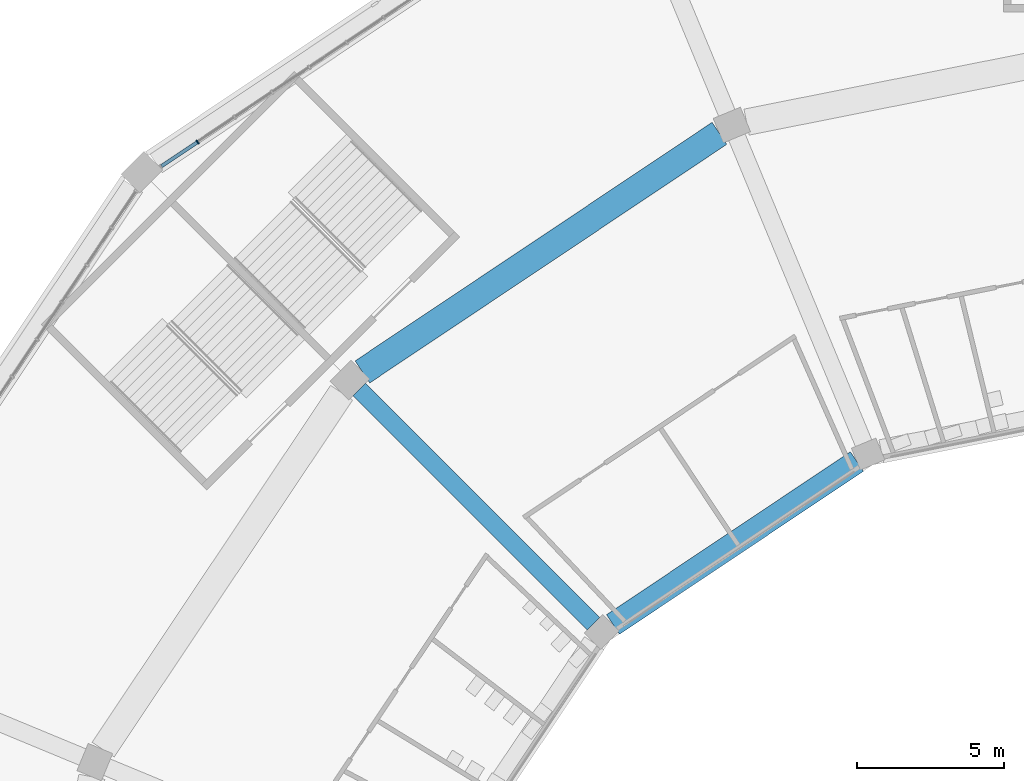
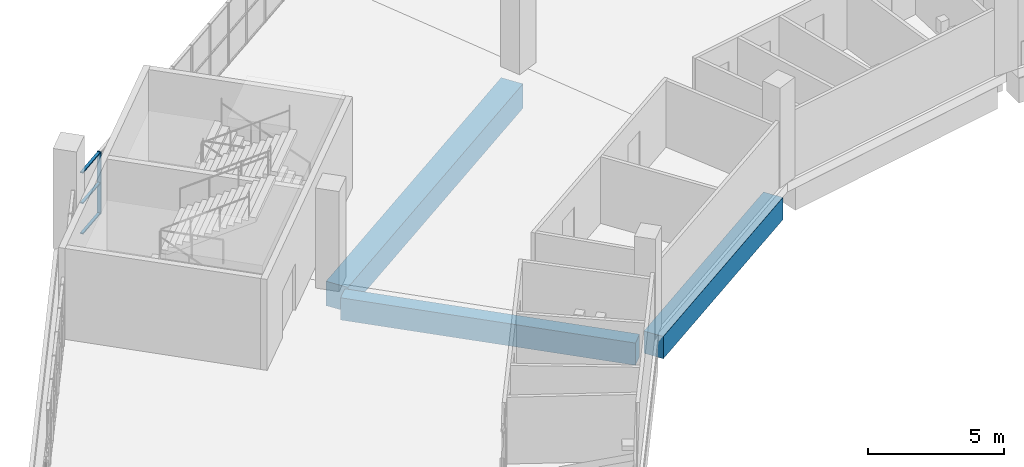
# One storey, part 39 of 199: 4 members, 3 beams, 1 element without a shape of its own.
"""IFC4 building model written with IfcOpenShell, lengths in metres."""

from ifc_helpers import new_model, si_unit, direction, frame, origin, origin_2d, place, context, subcontext, project, spatial, rectangle, extrude, material, material_profile, profile_set, type_object, element, aggregate, save


model = new_model("IFC4")

# Units and contexts
model_context = context("Model", 3, precision=1e-05, world=origin(), true_north=direction((0.0, 1.0)))
body_context = subcontext(model_context, "Body", "Model", "MODEL_VIEW")
ifc_project = project(units=[si_unit("LENGTHUNIT", "METRE"), si_unit("AREAUNIT", "SQUARE_METRE"), si_unit("VOLUMEUNIT", "CUBIC_METRE"), si_unit("PLANEANGLEUNIT", "RADIAN"), si_unit("MASSUNIT", "GRAM", prefix="KILO")], contexts=[model_context])

# Site, building, storey
site_placement = place(None, origin())
site = spatial("IfcSite", under=ifc_project, at=site_placement, CompositionType="ELEMENT")
building_placement = place(site_placement, origin())
building = spatial("IfcBuilding", under=site, at=building_placement, Name="Ogive Plaza Stadium", CompositionType="ELEMENT")
storey_placement = place(building_placement, frame((0.0, 0.0, 9.0)))
storey = spatial("IfcBuildingStorey", under=building, at=storey_placement, Name="L02", CompositionType="ELEMENT", Elevation=9.0)

# Curtain wall, members
ifc_material_1 = material(Name="Bronze-anodised aluminium with laminated glass", Category="aluminium")
curtain_wall_type = type_object("IfcCurtainWallType", Name="Lancet curtain wall", PredefinedType="NOTDEFINED", material=ifc_material_1)
curtain_wall_placement = place(storey_placement, origin())
curtain_wall = element("IfcCurtainWall", 1, at=curtain_wall_placement, inside=storey, type_object=curtain_wall_type, Name="CURTAIN WALL B30 L02", PredefinedType="NOTDEFINED")
ifc_material_2 = material(Name="Bronze-anodised aluminium", Category="aluminium")
ifc_material_profile_1 = material_profile(ifc_material_2, rectangle(XDim=0.14990234375, YDim=0.050048828125, at=origin_2d()), Name="AL 150x50")
ifc_profile_set_1 = profile_set([ifc_material_profile_1], Name="Bronze-anodised aluminium")
member_type_1 = type_object("IfcMemberType", Name="Curtain wall mullion 50x150", PredefinedType="MULLION", material=ifc_profile_set_1)
member_1_placement = place(storey_placement, frame((-67.462646484375, 88.879638671875, 0.0), z_axis=(0.0, 0.0, 1.0), x_axis=(-0.55557023302, 0.831469612303, 0.0)))
member_1 = element("IfcMember", 2, at=member_1_placement, type_object=member_type_1, Name="CW-B30-L02 mullion 2", PredefinedType="MULLION", context=body_context, shape_type="SweptSolid", body=[
    extrude(rectangle(XDim=0.14990234375, YDim=0.050048828125, at=origin_2d()), origin(), (0.0, 0.0, 1.0), 2.7900390625),
])
ifc_material_3 = material(Name="Bronze-anodised aluminium", Category="aluminium")
ifc_material_profile_2 = material_profile(ifc_material_3, rectangle(XDim=0.1201171875, YDim=0.050048828125, at=origin_2d()), Name="AL 120x50")
ifc_profile_set_2 = profile_set([ifc_material_profile_2], Name="Bronze-anodised aluminium")
member_type_2 = type_object("IfcMemberType", Name="Curtain wall transom 50x120", PredefinedType="USERDEFINED", material=ifc_profile_set_2)
member_2_placement = place(storey_placement, frame((-68.686767578125, 88.0615234375, 0.02490234375), z_axis=(0.831426948977, 0.555634077892, 0.0), x_axis=(-0.555634077892, 0.831426948977, 0.0)))
member_2 = element("IfcMember", 3, at=member_2_placement, type_object=member_type_2, Name="CW-B30-L02 transom 1.1", ObjectType="TRANSOM", PredefinedType="USERDEFINED", context=body_context, shape_type="SweptSolid", body=[
    extrude(rectangle(XDim=0.1201171875, YDim=0.050048828125, at=origin_2d()), origin(), (0.0, 0.0, 1.0), 1.447265625),
])
member_3_placement = place(storey_placement, frame((-68.686767578125, 88.0615234375, 1.39501953125), z_axis=(0.831426948977, 0.555634077892, 0.0), x_axis=(-0.555634077892, 0.831426948977, 0.0)))
member_3 = element("IfcMember", 4, at=member_3_placement, type_object=member_type_2, Name="CW-B30-L02 transom 1.2", ObjectType="TRANSOM", PredefinedType="USERDEFINED", context=body_context, shape_type="SweptSolid", body=[
    extrude(rectangle(XDim=0.1201171875, YDim=0.050048828125, at=origin_2d()), origin(), (0.0, 0.0, 1.0), 1.447265625),
])
member_4_placement = place(storey_placement, frame((-68.686767578125, 88.0615234375, 2.764892578125), z_axis=(0.831426948977, 0.555634077892, 0.0), x_axis=(-0.555634077892, 0.831426948977, 0.0)))
member_4 = element("IfcMember", 5, at=member_4_placement, type_object=member_type_2, Name="CW-B30-L02 transom 1.3", ObjectType="TRANSOM", PredefinedType="USERDEFINED", context=body_context, shape_type="SweptSolid", body=[
    extrude(rectangle(XDim=0.1201171875, YDim=0.050048828125, at=origin_2d()), origin(), (0.0, 0.0, 1.0), 1.447265625),
])
aggregate(curtain_wall, [member_1, member_2, member_3, member_4])

# Beams
ifc_material_4 = material(Name="Concrete C40/50", Category="concrete")
ifc_material_profile_3 = material_profile(ifc_material_4, rectangle(XDim=0.60009765625, YDim=1.0, at=origin_2d()), Name="RC 600x1000")
ifc_profile_set_3 = profile_set([ifc_material_profile_3], Name="Concrete C40/50")
beam_type_1 = type_object("IfcBeamType", Name="RC radial beam 600x1000", PredefinedType="BEAM", material=ifc_profile_set_3)
beam_1_placement = place(storey_placement, frame((-54.01123046875, 72.51123046875, -0.909912109375), z_axis=(-0.707106781187, 0.707106781187, 0.0), x_axis=(-0.707106781187, -0.707106781187, 0.0)))
element("IfcBeam", 6, at=beam_1_placement, inside=storey, type_object=beam_type_1, Name="Radial beam L02 R30 F3F4", PredefinedType="BEAM", context=body_context, shape_type="SweptSolid", body=[
    extrude(rectangle(XDim=0.60009765625, YDim=1.0, at=origin_2d()), origin(), (0.0, 0.0, 1.0), 11.249755859375),
])
ifc_material_5 = material(Name="Concrete C40/50", Category="concrete")
ifc_material_profile_4 = material_profile(ifc_material_5, rectangle(XDim=0.800048828125, YDim=1.0, at=origin_2d()), Name="RC 800x1000")
ifc_profile_set_4 = profile_set([ifc_material_profile_4], Name="Concrete C40/50")
beam_type_2 = type_object("IfcBeamType", Name="RC ring beam 800x1000", PredefinedType="BEAM", material=ifc_profile_set_4)
beam_2_placement = place(storey_placement, frame((-53.3466796875, 72.483154296875, -0.909912109375), z_axis=(0.831469573595, 0.555570290949, 0.0), x_axis=(-0.555570290949, 0.831469573595, 0.0)))
element("IfcBeam", 7, at=beam_2_placement, inside=storey, type_object=beam_type_2, Name="Ring beam F3 L02 B30", PredefinedType="BEAM", context=body_context, shape_type="SweptSolid", body=[
    extrude(rectangle(XDim=0.800048828125, YDim=1.0, at=origin_2d()), origin(), (0.0, 0.0, 1.0), 9.96826171875),
])
ifc_material_6 = material(Name="Concrete C40/50", Category="concrete")
ifc_material_profile_5 = material_profile(ifc_material_6, rectangle(XDim=0.89990234375, YDim=1.10009765625, at=origin_2d()), Name="RC 900x1100")
ifc_profile_set_5 = profile_set([ifc_material_profile_5], Name="Concrete C40/50")
beam_type_3 = type_object("IfcBeamType", Name="RC ring beam 900x1100", PredefinedType="BEAM", material=ifc_profile_set_5)
beam_3_placement = place(storey_placement, frame((-61.8603515625, 81.0673828125, -0.9599609375), z_axis=(0.831467933961, 0.555572744827, 0.0), x_axis=(-0.555572744827, 0.831467933961, 0.0)))
element("IfcBeam", 8, at=beam_3_placement, inside=storey, type_object=beam_type_3, Name="Ring beam F4 L02 B30", PredefinedType="BEAM", context=body_context, shape_type="SweptSolid", body=[
    extrude(rectangle(XDim=0.89990234375, YDim=1.10009765625, at=origin_2d()), origin(), (0.0, 0.0, 1.0), 14.587646484375),
])

save(model, "model.ifc")
